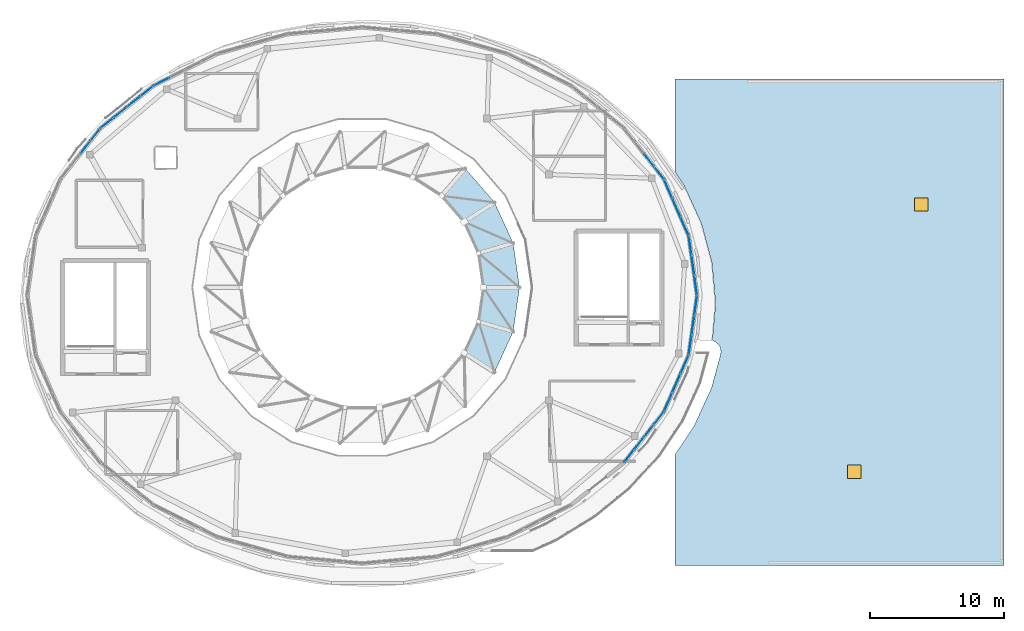
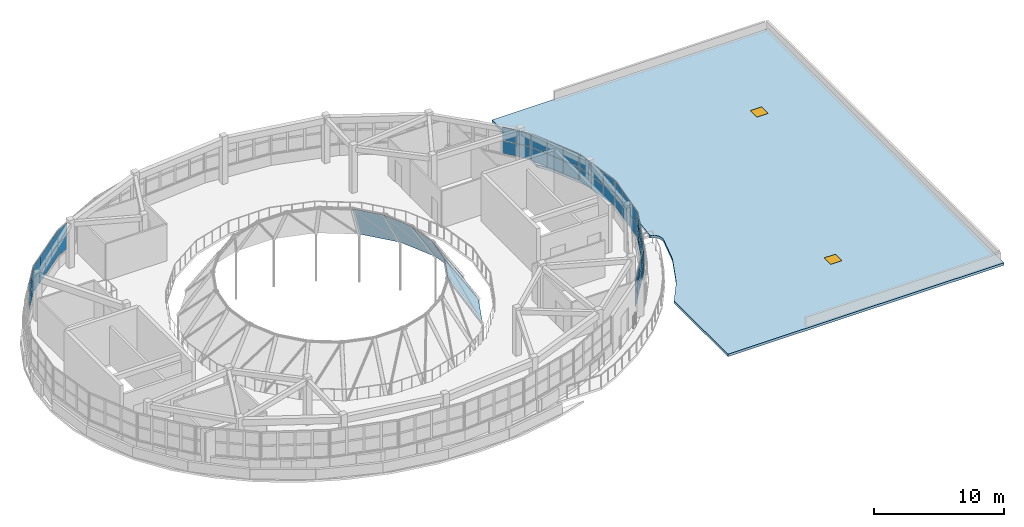
# One storey, part 31 of 38: 55 plates, 2 doors, 1 slab, 2 openings, 9 elements without a shape of their own.
"""IFC4 building model written with IfcOpenShell, lengths in metres."""

from ifc_helpers import new_model, si_unit, direction, frame, origin, origin_2d, place, context, subcontext, project, spatial, polyline, rectangle, outline, extrude, material, layer, layer_set, type_object, element, fill, aggregate, save


model = new_model("IFC4")

# Units and contexts
model_context = context("Model", 3, precision=1e-05, world=origin(), true_north=direction((0.0, 1.0)))
body_context = subcontext(model_context, "Body", "Model", "MODEL_VIEW")
ifc_project = project(units=[si_unit("LENGTHUNIT", "METRE"), si_unit("AREAUNIT", "SQUARE_METRE"), si_unit("VOLUMEUNIT", "CUBIC_METRE"), si_unit("PLANEANGLEUNIT", "RADIAN"), si_unit("MASSUNIT", "GRAM", prefix="KILO")], contexts=[model_context])

# Site, building, storey
site_placement = place(None, origin())
site = spatial("IfcSite", under=ifc_project, at=site_placement, CompositionType="ELEMENT")
building_placement = place(site_placement, origin())
building = spatial("IfcBuilding", under=site, at=building_placement, Name="Pelvatis Terrace Science Centre", CompositionType="ELEMENT")
storey_placement = place(building_placement, frame((0.0, 0.0, 24.300048828125)))
storey = spatial("IfcBuildingStorey", under=building, at=storey_placement, Name="L05", CompositionType="ELEMENT", Elevation=24.300048828125)

# Curtain wall, plates
ifc_material_1 = material(Name="Bronze-anodised aluminium and laminated glass", Category="aluminium")
ifc_layer_1 = layer(ifc_material_1, 0.179931640625)
ifc_layer_set_1 = layer_set([ifc_layer_1], Name="Bronze-anodised aluminium and laminated glass")
curtain_wall_type = type_object("IfcCurtainWallType", Name="CW-RIBBON-A", PredefinedType="NOTDEFINED", material=ifc_layer_set_1)
curtain_wall_1_placement = place(storey_placement, origin())
curtain_wall_1 = element("IfcCurtainWall", 1, at=curtain_wall_1_placement, inside=storey, type_object=curtain_wall_type, Name="Ribbon curtain wall CW-237 (L05)", PredefinedType="NOTDEFINED")
ifc_material_2 = material(Name="Low-e laminated solar-control double glazing", Category="glass")
ifc_layer_2 = layer(ifc_material_2, 0.035888671875)
ifc_layer_set_2 = layer_set([ifc_layer_2], Name="Low-e laminated solar-control double glazing")
plate_type_1 = type_object("IfcPlateType", Name="CWP-IGU-36", PredefinedType="CURTAIN_PANEL", material=ifc_layer_set_2)
plate_1_placement = place(storey_placement, frame((134.143310546875, 85.95849609375, 1.080078125), z_axis=(0.0, 0.0, 1.0), x_axis=(-0.139407522788, 0.990235094606, 0.0)))
plate_1 = element("IfcPlate", 2, at=plate_1_placement, type_object=plate_type_1, Name="CW-237 panel 1.1", PredefinedType="CURTAIN_PANEL", context=body_context, shape_type="SweptSolid", body=[
    extrude(rectangle(XDim=1.411865234375, YDim=0.035888671875, at=origin_2d()), origin(), (0.0, 0.0, 1.0), 1.18994140625),
])
plate_2_placement = place(storey_placement, frame((134.143310546875, 85.95849609375, 2.330078125), z_axis=(0.0, 0.0, 1.0), x_axis=(-0.139407522788, 0.990235094606, 0.0)))
plate_2 = element("IfcPlate", 3, at=plate_2_placement, type_object=plate_type_1, Name="CW-237 panel 1.2", PredefinedType="CURTAIN_PANEL", context=body_context, shape_type="SweptSolid", body=[
    extrude(rectangle(XDim=1.411865234375, YDim=0.035888671875, at=origin_2d()), origin(), (0.0, 0.0, 1.0), 1.18994140625),
])
plate_3_placement = place(storey_placement, frame((133.93603515625, 87.4306640625, 1.080078125), z_axis=(0.0, 0.0, 1.0), x_axis=(-0.139407522788, 0.990235094606, 0.0)))
plate_3 = element("IfcPlate", 4, at=plate_3_placement, type_object=plate_type_1, Name="CW-237 panel 2.1", PredefinedType="CURTAIN_PANEL", context=body_context, shape_type="SweptSolid", body=[
    extrude(rectangle(XDim=1.44189453125, YDim=0.035888671875, at=origin_2d()), origin(), (0.0, 0.0, 1.0), 1.18994140625),
])
plate_4_placement = place(storey_placement, frame((133.93603515625, 87.4306640625, 2.330078125), z_axis=(0.0, 0.0, 1.0), x_axis=(-0.139407522788, 0.990235094606, 0.0)))
plate_4 = element("IfcPlate", 5, at=plate_4_placement, type_object=plate_type_1, Name="CW-237 panel 2.2", PredefinedType="CURTAIN_PANEL", context=body_context, shape_type="SweptSolid", body=[
    extrude(rectangle(XDim=1.44189453125, YDim=0.035888671875, at=origin_2d()), origin(), (0.0, 0.0, 1.0), 1.18994140625),
])
plate_5_placement = place(storey_placement, frame((133.728759765625, 88.903076171875, 1.080078125), z_axis=(0.0, 0.0, 1.0), x_axis=(-0.139407522788, 0.990235094606, 0.0)))
plate_5 = element("IfcPlate", 6, at=plate_5_placement, type_object=plate_type_1, Name="CW-237 panel 3.1", PredefinedType="CURTAIN_PANEL", context=body_context, shape_type="SweptSolid", body=[
    extrude(rectangle(XDim=1.411865234375, YDim=0.035888671875, at=origin_2d()), origin(), (0.0, 0.0, 1.0), 1.18994140625),
])
plate_6_placement = place(storey_placement, frame((133.728759765625, 88.903076171875, 2.330078125), z_axis=(0.0, 0.0, 1.0), x_axis=(-0.139407522788, 0.990235094606, 0.0)))
plate_6 = element("IfcPlate", 7, at=plate_6_placement, type_object=plate_type_1, Name="CW-237 panel 3.2", PredefinedType="CURTAIN_PANEL", context=body_context, shape_type="SweptSolid", body=[
    extrude(rectangle(XDim=1.411865234375, YDim=0.035888671875, at=origin_2d()), origin(), (0.0, 0.0, 1.0), 1.18994140625),
])
aggregate(curtain_wall_1, [plate_1, plate_2, plate_3, plate_4, plate_5, plate_6])

curtain_wall_2_placement = place(storey_placement, origin())
curtain_wall_2 = element("IfcCurtainWall", 8, at=curtain_wall_2_placement, inside=storey, type_object=curtain_wall_type, Name="Ribbon curtain wall CW-238 (L05)", PredefinedType="NOTDEFINED")
plate_7_placement = place(storey_placement, frame((133.30712890625, 90.381591796875, 1.080078125), z_axis=(0.0, 0.0, 1.0), x_axis=(-0.400550007911, 0.916274899341, 0.0)))
plate_7 = element("IfcPlate", 9, at=plate_7_placement, type_object=plate_type_1, Name="CW-238 panel 1.1", PredefinedType="CURTAIN_PANEL", context=body_context, shape_type="SweptSolid", body=[
    extrude(rectangle(XDim=1.45166015625, YDim=0.035888671875, at=origin_2d()), origin(), (0.0, 0.0, 1.0), 1.18994140625),
])
plate_8_placement = place(storey_placement, frame((133.30712890625, 90.381591796875, 2.330078125), z_axis=(0.0, 0.0, 1.0), x_axis=(-0.400550007911, 0.916274899341, 0.0)))
plate_8 = element("IfcPlate", 10, at=plate_8_placement, type_object=plate_type_1, Name="CW-238 panel 1.2", PredefinedType="CURTAIN_PANEL", context=body_context, shape_type="SweptSolid", body=[
    extrude(rectangle(XDim=1.45166015625, YDim=0.035888671875, at=origin_2d()), origin(), (0.0, 0.0, 1.0), 1.18994140625),
])
plate_9_placement = place(storey_placement, frame((132.695556640625, 91.780517578125, 1.080078125), z_axis=(0.0, 0.0, 1.0), x_axis=(-0.400550007911, 0.916274899341, 0.0)))
plate_9 = element("IfcPlate", 11, at=plate_9_placement, type_object=plate_type_1, Name="CW-238 panel 2.1", PredefinedType="CURTAIN_PANEL", context=body_context, shape_type="SweptSolid", body=[
    extrude(rectangle(XDim=1.481689453125, YDim=0.035888671875, at=origin_2d()), origin(), (0.0, 0.0, 1.0), 1.18994140625),
])
plate_10_placement = place(storey_placement, frame((132.695556640625, 91.780517578125, 2.330078125), z_axis=(0.0, 0.0, 1.0), x_axis=(-0.400550007911, 0.916274899341, 0.0)))
plate_10 = element("IfcPlate", 12, at=plate_10_placement, type_object=plate_type_1, Name="CW-238 panel 2.2", PredefinedType="CURTAIN_PANEL", context=body_context, shape_type="SweptSolid", body=[
    extrude(rectangle(XDim=1.481689453125, YDim=0.035888671875, at=origin_2d()), origin(), (0.0, 0.0, 1.0), 1.18994140625),
])
plate_11_placement = place(storey_placement, frame((132.083984375, 93.179443359375, 1.080078125), z_axis=(0.0, 0.0, 1.0), x_axis=(-0.400550007911, 0.916274899341, 0.0)))
plate_11 = element("IfcPlate", 13, at=plate_11_placement, type_object=plate_type_1, Name="CW-238 panel 3.1", PredefinedType="CURTAIN_PANEL", context=body_context, shape_type="SweptSolid", body=[
    extrude(rectangle(XDim=1.45166015625, YDim=0.035888671875, at=origin_2d()), origin(), (0.0, 0.0, 1.0), 1.18994140625),
])
plate_12_placement = place(storey_placement, frame((132.083984375, 93.179443359375, 2.330078125), z_axis=(0.0, 0.0, 1.0), x_axis=(-0.400550007911, 0.916274899341, 0.0)))
plate_12 = element("IfcPlate", 14, at=plate_12_placement, type_object=plate_type_1, Name="CW-238 panel 3.2", PredefinedType="CURTAIN_PANEL", context=body_context, shape_type="SweptSolid", body=[
    extrude(rectangle(XDim=1.45166015625, YDim=0.035888671875, at=origin_2d()), origin(), (0.0, 0.0, 1.0), 1.18994140625),
])
aggregate(curtain_wall_2, [plate_7, plate_8, plate_9, plate_10, plate_11, plate_12])

curtain_wall_3_placement = place(storey_placement, origin())
curtain_wall_3 = element("IfcCurtainWall", 15, at=curtain_wall_3_placement, inside=storey, type_object=curtain_wall_type, Name="Ribbon curtain wall CW-239 (L05)", PredefinedType="NOTDEFINED")
plate_13_placement = place(storey_placement, frame((131.386962890625, 94.386474609375, 1.080078125), z_axis=(0.0, 0.0, 1.0), x_axis=(-0.617492535697, 0.786576740286, 0.0)))
plate_13 = element("IfcPlate", 16, at=plate_13_placement, type_object=plate_type_1, Name="CW-239 panel 1.1", PredefinedType="CURTAIN_PANEL", context=body_context, shape_type="SweptSolid", body=[
    extrude(rectangle(XDim=1.1181640625, YDim=0.035888671875, at=origin_2d()), origin(), (0.0, 0.0, 1.0), 1.18994140625),
])
plate_14_placement = place(storey_placement, frame((131.386962890625, 94.386474609375, 2.330078125), z_axis=(0.0, 0.0, 1.0), x_axis=(-0.617492535697, 0.786576740286, 0.0)))
plate_14 = element("IfcPlate", 17, at=plate_14_placement, type_object=plate_type_1, Name="CW-239 panel 1.2", PredefinedType="CURTAIN_PANEL", context=body_context, shape_type="SweptSolid", body=[
    extrude(rectangle(XDim=1.1181640625, YDim=0.035888671875, at=origin_2d()), origin(), (0.0, 0.0, 1.0), 1.18994140625),
])
plate_15_placement = place(storey_placement, frame((130.650146484375, 95.324951171875, 1.080078125), z_axis=(0.0, 0.0, 1.0), x_axis=(-0.617492535697, 0.786576740286, 0.0)))
plate_15 = element("IfcPlate", 18, at=plate_15_placement, type_object=plate_type_1, Name="CW-239 panel 2.1", PredefinedType="CURTAIN_PANEL", context=body_context, shape_type="SweptSolid", body=[
    extrude(rectangle(XDim=1.148193359375, YDim=0.035888671875, at=origin_2d()), origin(), (0.0, 0.0, 1.0), 1.18994140625),
])
plate_16_placement = place(storey_placement, frame((130.650146484375, 95.324951171875, 2.330078125), z_axis=(0.0, 0.0, 1.0), x_axis=(-0.617492535697, 0.786576740286, 0.0)))
plate_16 = element("IfcPlate", 19, at=plate_16_placement, type_object=plate_type_1, Name="CW-239 panel 2.2", PredefinedType="CURTAIN_PANEL", context=body_context, shape_type="SweptSolid", body=[
    extrude(rectangle(XDim=1.148193359375, YDim=0.035888671875, at=origin_2d()), origin(), (0.0, 0.0, 1.0), 1.18994140625),
])
aggregate(curtain_wall_3, [plate_13, plate_14, plate_15, plate_16])

curtain_wall_4_placement = place(storey_placement, origin())
curtain_wall_4 = element("IfcCurtainWall", 20, at=curtain_wall_4_placement, inside=storey, type_object=curtain_wall_type, Name="Ribbon curtain wall CW-246 (L05)", PredefinedType="NOTDEFINED")
plate_17_placement = place(storey_placement, frame((94.188720703125, 101.180908203125, 1.080078125), z_axis=(0.0, 0.0, 1.0), x_axis=(-0.893378933741, -0.449303995918, 0.0)))
plate_17 = element("IfcPlate", 21, at=plate_17_placement, type_object=plate_type_1, Name="CW-246 panel 4.1", PredefinedType="CURTAIN_PANEL", context=body_context, shape_type="SweptSolid", body=[
    extrude(rectangle(XDim=1.239013671875, YDim=0.035888671875, at=origin_2d()), origin(), (0.0, 0.0, 1.0), 1.18994140625),
])
plate_18_placement = place(storey_placement, frame((94.188720703125, 101.180908203125, 2.330078125), z_axis=(0.0, 0.0, 1.0), x_axis=(-0.893378933741, -0.449303995918, 0.0)))
plate_18 = element("IfcPlate", 22, at=plate_18_placement, type_object=plate_type_1, Name="CW-246 panel 4.2", PredefinedType="CURTAIN_PANEL", context=body_context, shape_type="SweptSolid", body=[
    extrude(rectangle(XDim=1.239013671875, YDim=0.035888671875, at=origin_2d()), origin(), (0.0, 0.0, 1.0), 1.18994140625),
])
aggregate(curtain_wall_4, [plate_17, plate_18])

curtain_wall_5_placement = place(storey_placement, origin())
curtain_wall_5 = element("IfcCurtainWall", 23, at=curtain_wall_5_placement, inside=storey, type_object=curtain_wall_type, Name="Ribbon curtain wall CW-247 (L05)", PredefinedType="NOTDEFINED")
plate_19_placement = place(storey_placement, frame((93.073974609375, 100.469482421875, 1.080078125), z_axis=(0.0, 0.0, 1.0), x_axis=(-0.780724767005, -0.62487505806, 0.0)))
plate_19 = element("IfcPlate", 24, at=plate_19_placement, type_object=plate_type_1, Name="CW-247 panel 1.1", PredefinedType="CURTAIN_PANEL", context=body_context, shape_type="SweptSolid", body=[
    extrude(rectangle(XDim=1.18017578125, YDim=0.035888671875, at=origin_2d()), origin(), (0.0, 0.0, 1.0), 1.18994140625),
])
plate_20_placement = place(storey_placement, frame((93.073974609375, 100.469482421875, 2.330078125), z_axis=(0.0, 0.0, 1.0), x_axis=(-0.780724767005, -0.62487505806, 0.0)))
plate_20 = element("IfcPlate", 25, at=plate_20_placement, type_object=plate_type_1, Name="CW-247 panel 1.2", PredefinedType="CURTAIN_PANEL", context=body_context, shape_type="SweptSolid", body=[
    extrude(rectangle(XDim=1.18017578125, YDim=0.035888671875, at=origin_2d()), origin(), (0.0, 0.0, 1.0), 1.18994140625),
])
plate_21_placement = place(storey_placement, frame((92.09423828125, 99.685302734375, 1.080078125), z_axis=(0.0, 0.0, 1.0), x_axis=(-0.780724767005, -0.62487505806, 0.0)))
plate_21 = element("IfcPlate", 26, at=plate_21_placement, type_object=plate_type_1, Name="CW-247 panel 2.1", PredefinedType="CURTAIN_PANEL", context=body_context, shape_type="SweptSolid", body=[
    extrude(rectangle(XDim=1.210205078125, YDim=0.035888671875, at=origin_2d()), origin(), (0.0, 0.0, 1.0), 1.18994140625),
])
plate_22_placement = place(storey_placement, frame((92.09423828125, 99.685302734375, 2.330078125), z_axis=(0.0, 0.0, 1.0), x_axis=(-0.780724767005, -0.62487505806, 0.0)))
plate_22 = element("IfcPlate", 27, at=plate_22_placement, type_object=plate_type_1, Name="CW-247 panel 2.2", PredefinedType="CURTAIN_PANEL", context=body_context, shape_type="SweptSolid", body=[
    extrude(rectangle(XDim=1.210205078125, YDim=0.035888671875, at=origin_2d()), origin(), (0.0, 0.0, 1.0), 1.18994140625),
])
plate_23_placement = place(storey_placement, frame((91.1025390625, 98.8916015625, 1.080078125), z_axis=(0.0, 0.0, 1.0), x_axis=(-0.780724767005, -0.62487505806, 0.0)))
plate_23 = element("IfcPlate", 28, at=plate_23_placement, type_object=plate_type_1, Name="CW-247 panel 3.1", PredefinedType="CURTAIN_PANEL", context=body_context, shape_type="SweptSolid", body=[
    extrude(rectangle(XDim=1.210205078125, YDim=0.035888671875, at=origin_2d()), origin(), (0.0, 0.0, 1.0), 1.18994140625),
])
plate_24_placement = place(storey_placement, frame((91.1025390625, 98.8916015625, 2.330078125), z_axis=(0.0, 0.0, 1.0), x_axis=(-0.780724767005, -0.62487505806, 0.0)))
plate_24 = element("IfcPlate", 29, at=plate_24_placement, type_object=plate_type_1, Name="CW-247 panel 3.2", PredefinedType="CURTAIN_PANEL", context=body_context, shape_type="SweptSolid", body=[
    extrude(rectangle(XDim=1.210205078125, YDim=0.035888671875, at=origin_2d()), origin(), (0.0, 0.0, 1.0), 1.18994140625),
])
plate_25_placement = place(storey_placement, frame((90.12255859375, 98.107177734375, 1.080078125), z_axis=(0.0, 0.0, 1.0), x_axis=(-0.780724767005, -0.62487505806, 0.0)))
plate_25 = element("IfcPlate", 30, at=plate_25_placement, type_object=plate_type_1, Name="CW-247 panel 4.1", PredefinedType="CURTAIN_PANEL", context=body_context, shape_type="SweptSolid", body=[
    extrude(rectangle(XDim=1.18017578125, YDim=0.035888671875, at=origin_2d()), origin(), (0.0, 0.0, 1.0), 1.18994140625),
])
plate_26_placement = place(storey_placement, frame((90.12255859375, 98.107177734375, 2.330078125), z_axis=(0.0, 0.0, 1.0), x_axis=(-0.780724767005, -0.62487505806, 0.0)))
plate_26 = element("IfcPlate", 31, at=plate_26_placement, type_object=plate_type_1, Name="CW-247 panel 4.2", PredefinedType="CURTAIN_PANEL", context=body_context, shape_type="SweptSolid", body=[
    extrude(rectangle(XDim=1.18017578125, YDim=0.035888671875, at=origin_2d()), origin(), (0.0, 0.0, 1.0), 1.18994140625),
])
aggregate(curtain_wall_5, [plate_19, plate_20, plate_21, plate_22, plate_23, plate_24, plate_25, plate_26])

curtain_wall_6_placement = place(storey_placement, origin())
curtain_wall_6 = element("IfcCurtainWall", 32, at=curtain_wall_6_placement, inside=storey, type_object=curtain_wall_type, Name="Ribbon curtain wall CW-248 (L05)", PredefinedType="NOTDEFINED")
plate_27_placement = place(storey_placement, frame((89.232666015625, 97.214111328125, 1.080078125), z_axis=(0.0, 0.0, 1.0), x_axis=(-0.617492535697, -0.786576740286, 0.0)))
plate_27 = element("IfcPlate", 33, at=plate_27_placement, type_object=plate_type_1, Name="CW-248 panel 1.1", PredefinedType="CURTAIN_PANEL", context=body_context, shape_type="SweptSolid", body=[
    extrude(rectangle(XDim=1.1181640625, YDim=0.035888671875, at=origin_2d()), origin(), (0.0, 0.0, 1.0), 1.18994140625),
])
plate_28_placement = place(storey_placement, frame((89.232666015625, 97.214111328125, 2.330078125), z_axis=(0.0, 0.0, 1.0), x_axis=(-0.617492535697, -0.786576740286, 0.0)))
plate_28 = element("IfcPlate", 34, at=plate_28_placement, type_object=plate_type_1, Name="CW-248 panel 1.2", PredefinedType="CURTAIN_PANEL", context=body_context, shape_type="SweptSolid", body=[
    extrude(rectangle(XDim=1.1181640625, YDim=0.035888671875, at=origin_2d()), origin(), (0.0, 0.0, 1.0), 1.18994140625),
])
plate_29_placement = place(storey_placement, frame((88.495849609375, 96.275390625, 1.080078125), z_axis=(0.0, 0.0, 1.0), x_axis=(-0.617492535697, -0.786576740286, 0.0)))
plate_29 = element("IfcPlate", 35, at=plate_29_placement, type_object=plate_type_1, Name="CW-248 panel 2.1", PredefinedType="CURTAIN_PANEL", context=body_context, shape_type="SweptSolid", body=[
    extrude(rectangle(XDim=1.148193359375, YDim=0.035888671875, at=origin_2d()), origin(), (0.0, 0.0, 1.0), 1.18994140625),
])
plate_30_placement = place(storey_placement, frame((88.495849609375, 96.275390625, 2.330078125), z_axis=(0.0, 0.0, 1.0), x_axis=(-0.617492535697, -0.786576740286, 0.0)))
plate_30 = element("IfcPlate", 36, at=plate_30_placement, type_object=plate_type_1, Name="CW-248 panel 2.2", PredefinedType="CURTAIN_PANEL", context=body_context, shape_type="SweptSolid", body=[
    extrude(rectangle(XDim=1.148193359375, YDim=0.035888671875, at=origin_2d()), origin(), (0.0, 0.0, 1.0), 1.18994140625),
])
aggregate(curtain_wall_6, [plate_27, plate_28, plate_29, plate_30])

curtain_wall_7_placement = place(storey_placement, origin())
curtain_wall_7 = element("IfcCurtainWall", 37, at=curtain_wall_7_placement, inside=storey, type_object=curtain_wall_type, Name="Ribbon curtain wall CW-261 (L05)", PredefinedType="NOTDEFINED")
plate_31_placement = place(storey_placement, frame((129.167236328125, 73.18603515625, 1.080078125), z_axis=(0.0, 0.0, 1.0), x_axis=(0.617492535697, 0.786576740286, 0.0)))
plate_31 = element("IfcPlate", 38, at=plate_31_placement, type_object=plate_type_1, Name="CW-261 panel 1.1", PredefinedType="CURTAIN_PANEL", context=body_context, shape_type="SweptSolid", body=[
    extrude(rectangle(XDim=1.1181640625, YDim=0.035888671875, at=origin_2d()), origin(), (0.0, 0.0, 1.0), 1.18994140625),
])
plate_32_placement = place(storey_placement, frame((129.167236328125, 73.18603515625, 2.330078125), z_axis=(0.0, 0.0, 1.0), x_axis=(0.617492535697, 0.786576740286, 0.0)))
plate_32 = element("IfcPlate", 39, at=plate_32_placement, type_object=plate_type_1, Name="CW-261 panel 1.2", PredefinedType="CURTAIN_PANEL", context=body_context, shape_type="SweptSolid", body=[
    extrude(rectangle(XDim=1.1181640625, YDim=0.035888671875, at=origin_2d()), origin(), (0.0, 0.0, 1.0), 1.18994140625),
])
plate_33_placement = place(storey_placement, frame((129.904052734375, 74.12451171875, 1.080078125), z_axis=(0.0, 0.0, 1.0), x_axis=(0.617492535697, 0.786576740286, 0.0)))
plate_33 = element("IfcPlate", 40, at=plate_33_placement, type_object=plate_type_1, Name="CW-261 panel 2.1", PredefinedType="CURTAIN_PANEL", context=body_context, shape_type="SweptSolid", body=[
    extrude(rectangle(XDim=1.148193359375, YDim=0.035888671875, at=origin_2d()), origin(), (0.0, 0.0, 1.0), 1.18994140625),
])
plate_34_placement = place(storey_placement, frame((129.904052734375, 74.12451171875, 2.330078125), z_axis=(0.0, 0.0, 1.0), x_axis=(0.617492535697, 0.786576740286, 0.0)))
plate_34 = element("IfcPlate", 41, at=plate_34_placement, type_object=plate_type_1, Name="CW-261 panel 2.2", PredefinedType="CURTAIN_PANEL", context=body_context, shape_type="SweptSolid", body=[
    extrude(rectangle(XDim=1.148193359375, YDim=0.035888671875, at=origin_2d()), origin(), (0.0, 0.0, 1.0), 1.18994140625),
])
plate_35_placement = place(storey_placement, frame((130.650146484375, 75.074951171875, 1.080078125), z_axis=(0.0, 0.0, 1.0), x_axis=(0.617492535697, 0.786576740286, 0.0)))
plate_35 = element("IfcPlate", 42, at=plate_35_placement, type_object=plate_type_1, Name="CW-261 panel 3.1", PredefinedType="CURTAIN_PANEL", context=body_context, shape_type="SweptSolid", body=[
    extrude(rectangle(XDim=1.148193359375, YDim=0.035888671875, at=origin_2d()), origin(), (0.0, 0.0, 1.0), 1.18994140625),
])
plate_36_placement = place(storey_placement, frame((130.650146484375, 75.074951171875, 2.330078125), z_axis=(0.0, 0.0, 1.0), x_axis=(0.617492535697, 0.786576740286, 0.0)))
plate_36 = element("IfcPlate", 43, at=plate_36_placement, type_object=plate_type_1, Name="CW-261 panel 3.2", PredefinedType="CURTAIN_PANEL", context=body_context, shape_type="SweptSolid", body=[
    extrude(rectangle(XDim=1.148193359375, YDim=0.035888671875, at=origin_2d()), origin(), (0.0, 0.0, 1.0), 1.18994140625),
])
plate_37_placement = place(storey_placement, frame((131.386962890625, 76.013671875, 1.080078125), z_axis=(0.0, 0.0, 1.0), x_axis=(0.617492535697, 0.786576740286, 0.0)))
plate_37 = element("IfcPlate", 44, at=plate_37_placement, type_object=plate_type_1, Name="CW-261 panel 4.1", PredefinedType="CURTAIN_PANEL", context=body_context, shape_type="SweptSolid", body=[
    extrude(rectangle(XDim=1.1181640625, YDim=0.035888671875, at=origin_2d()), origin(), (0.0, 0.0, 1.0), 1.18994140625),
])
plate_38_placement = place(storey_placement, frame((131.386962890625, 76.013671875, 2.330078125), z_axis=(0.0, 0.0, 1.0), x_axis=(0.617492535697, 0.786576740286, 0.0)))
plate_38 = element("IfcPlate", 45, at=plate_38_placement, type_object=plate_type_1, Name="CW-261 panel 4.2", PredefinedType="CURTAIN_PANEL", context=body_context, shape_type="SweptSolid", body=[
    extrude(rectangle(XDim=1.1181640625, YDim=0.035888671875, at=origin_2d()), origin(), (0.0, 0.0, 1.0), 1.18994140625),
])
aggregate(curtain_wall_7, [plate_31, plate_32, plate_33, plate_34, plate_35, plate_36, plate_37, plate_38])

curtain_wall_8_placement = place(storey_placement, origin())
curtain_wall_8 = element("IfcCurtainWall", 46, at=curtain_wall_8_placement, inside=storey, type_object=curtain_wall_type, Name="Ribbon curtain wall CW-262 (L05)", PredefinedType="NOTDEFINED")
plate_39_placement = place(storey_placement, frame((132.083984375, 77.220703125, 1.080078125), z_axis=(0.0, 0.0, 1.0), x_axis=(0.400550007911, 0.916274899341, 0.0)))
plate_39 = element("IfcPlate", 47, at=plate_39_placement, type_object=plate_type_1, Name="CW-262 panel 1.1", PredefinedType="CURTAIN_PANEL", context=body_context, shape_type="SweptSolid", body=[
    extrude(rectangle(XDim=1.45166015625, YDim=0.035888671875, at=origin_2d()), origin(), (0.0, 0.0, 1.0), 1.18994140625),
])
plate_40_placement = place(storey_placement, frame((132.083984375, 77.220703125, 2.330078125), z_axis=(0.0, 0.0, 1.0), x_axis=(0.400550007911, 0.916274899341, 0.0)))
plate_40 = element("IfcPlate", 48, at=plate_40_placement, type_object=plate_type_1, Name="CW-262 panel 1.2", PredefinedType="CURTAIN_PANEL", context=body_context, shape_type="SweptSolid", body=[
    extrude(rectangle(XDim=1.45166015625, YDim=0.035888671875, at=origin_2d()), origin(), (0.0, 0.0, 1.0), 1.18994140625),
])
plate_41_placement = place(storey_placement, frame((132.695556640625, 78.61962890625, 1.080078125), z_axis=(0.0, 0.0, 1.0), x_axis=(0.400550007911, 0.916274899341, 0.0)))
plate_41 = element("IfcPlate", 49, at=plate_41_placement, type_object=plate_type_1, Name="CW-262 panel 2.1", PredefinedType="CURTAIN_PANEL", context=body_context, shape_type="SweptSolid", body=[
    extrude(rectangle(XDim=1.481689453125, YDim=0.035888671875, at=origin_2d()), origin(), (0.0, 0.0, 1.0), 1.18994140625),
])
plate_42_placement = place(storey_placement, frame((132.695556640625, 78.61962890625, 2.330078125), z_axis=(0.0, 0.0, 1.0), x_axis=(0.400550007911, 0.916274899341, 0.0)))
plate_42 = element("IfcPlate", 50, at=plate_42_placement, type_object=plate_type_1, Name="CW-262 panel 2.2", PredefinedType="CURTAIN_PANEL", context=body_context, shape_type="SweptSolid", body=[
    extrude(rectangle(XDim=1.481689453125, YDim=0.035888671875, at=origin_2d()), origin(), (0.0, 0.0, 1.0), 1.18994140625),
])
plate_43_placement = place(storey_placement, frame((133.30712890625, 80.0185546875, 1.080078125), z_axis=(0.0, 0.0, 1.0), x_axis=(0.400550007911, 0.916274899341, 0.0)))
plate_43 = element("IfcPlate", 51, at=plate_43_placement, type_object=plate_type_1, Name="CW-262 panel 3.1", PredefinedType="CURTAIN_PANEL", context=body_context, shape_type="SweptSolid", body=[
    extrude(rectangle(XDim=1.45166015625, YDim=0.035888671875, at=origin_2d()), origin(), (0.0, 0.0, 1.0), 1.18994140625),
])
plate_44_placement = place(storey_placement, frame((133.30712890625, 80.0185546875, 2.330078125), z_axis=(0.0, 0.0, 1.0), x_axis=(0.400550007911, 0.916274899341, 0.0)))
plate_44 = element("IfcPlate", 52, at=plate_44_placement, type_object=plate_type_1, Name="CW-262 panel 3.2", PredefinedType="CURTAIN_PANEL", context=body_context, shape_type="SweptSolid", body=[
    extrude(rectangle(XDim=1.45166015625, YDim=0.035888671875, at=origin_2d()), origin(), (0.0, 0.0, 1.0), 1.18994140625),
])
aggregate(curtain_wall_8, [plate_39, plate_40, plate_41, plate_42, plate_43, plate_44])

curtain_wall_9_placement = place(storey_placement, origin())
curtain_wall_9 = element("IfcCurtainWall", 53, at=curtain_wall_9_placement, inside=storey, type_object=curtain_wall_type, Name="Ribbon curtain wall CW-263 (L05)", PredefinedType="NOTDEFINED")
plate_45_placement = place(storey_placement, frame((133.728759765625, 81.496826171875, 1.080078125), z_axis=(0.0, 0.0, 1.0), x_axis=(0.139407522788, 0.990235094606, 0.0)))
plate_45 = element("IfcPlate", 54, at=plate_45_placement, type_object=plate_type_1, Name="CW-263 panel 1.1", PredefinedType="CURTAIN_PANEL", context=body_context, shape_type="SweptSolid", body=[
    extrude(rectangle(XDim=1.411865234375, YDim=0.035888671875, at=origin_2d()), origin(), (0.0, 0.0, 1.0), 1.18994140625),
])
plate_46_placement = place(storey_placement, frame((133.728759765625, 81.496826171875, 2.330078125), z_axis=(0.0, 0.0, 1.0), x_axis=(0.139407522788, 0.990235094606, 0.0)))
plate_46 = element("IfcPlate", 55, at=plate_46_placement, type_object=plate_type_1, Name="CW-263 panel 1.2", PredefinedType="CURTAIN_PANEL", context=body_context, shape_type="SweptSolid", body=[
    extrude(rectangle(XDim=1.411865234375, YDim=0.035888671875, at=origin_2d()), origin(), (0.0, 0.0, 1.0), 1.18994140625),
])
plate_47_placement = place(storey_placement, frame((133.93603515625, 82.96923828125, 1.080078125), z_axis=(0.0, 0.0, 1.0), x_axis=(0.139407522788, 0.990235094606, 0.0)))
plate_47 = element("IfcPlate", 56, at=plate_47_placement, type_object=plate_type_1, Name="CW-263 panel 2.1", PredefinedType="CURTAIN_PANEL", context=body_context, shape_type="SweptSolid", body=[
    extrude(rectangle(XDim=1.44189453125, YDim=0.035888671875, at=origin_2d()), origin(), (0.0, 0.0, 1.0), 1.18994140625),
])
plate_48_placement = place(storey_placement, frame((133.93603515625, 82.96923828125, 2.330078125), z_axis=(0.0, 0.0, 1.0), x_axis=(0.139407522788, 0.990235094606, 0.0)))
plate_48 = element("IfcPlate", 57, at=plate_48_placement, type_object=plate_type_1, Name="CW-263 panel 2.2", PredefinedType="CURTAIN_PANEL", context=body_context, shape_type="SweptSolid", body=[
    extrude(rectangle(XDim=1.44189453125, YDim=0.035888671875, at=origin_2d()), origin(), (0.0, 0.0, 1.0), 1.18994140625),
])
plate_49_placement = place(storey_placement, frame((134.143310546875, 84.441650390625, 1.080078125), z_axis=(0.0, 0.0, 1.0), x_axis=(0.139407522788, 0.990235094606, 0.0)))
plate_49 = element("IfcPlate", 58, at=plate_49_placement, type_object=plate_type_1, Name="CW-263 panel 3.1", PredefinedType="CURTAIN_PANEL", context=body_context, shape_type="SweptSolid", body=[
    extrude(rectangle(XDim=1.411865234375, YDim=0.035888671875, at=origin_2d()), origin(), (0.0, 0.0, 1.0), 1.18994140625),
])
plate_50_placement = place(storey_placement, frame((134.143310546875, 84.441650390625, 2.330078125), z_axis=(0.0, 0.0, 1.0), x_axis=(0.139407522788, 0.990235094606, 0.0)))
plate_50 = element("IfcPlate", 59, at=plate_50_placement, type_object=plate_type_1, Name="CW-263 panel 3.2", PredefinedType="CURTAIN_PANEL", context=body_context, shape_type="SweptSolid", body=[
    extrude(rectangle(XDim=1.411865234375, YDim=0.035888671875, at=origin_2d()), origin(), (0.0, 0.0, 1.0), 1.18994140625),
])
aggregate(curtain_wall_9, [plate_45, plate_46, plate_47, plate_48, plate_49, plate_50])

# Plates
ifc_material_3 = material(Name="Bronze-patinated standing-seam titanium-zinc sheet", Category="steel")
ifc_layer_3 = layer(ifc_material_3, 0.013916015625)
ifc_layer_set_3 = layer_set([ifc_layer_3], Name="Bronze-patinated standing-seam titanium-zinc sheet")
plate_type_2 = type_object("IfcPlateType", Name="PLT-DOM-SH14", PredefinedType="SHEET", material=ifc_layer_set_3)
plate_51_placement = place(storey_placement, frame((120.963134765625, 85.800048828125, -1.1845703125), z_axis=(0.837256646291, 0.12039940788, 0.533390373764), x_axis=(-0.142338659625, 0.989818016595, 9.10568e-07)))
element("IfcPlate", 60, at=plate_51_placement, inside=storey, type_object=plate_type_2, Name="Planetarium dome shell panel 2.01", PredefinedType="SHEET", context=body_context, shape_type="SweptSolid", body=[
    extrude(outline(polyline([(0.0, 0.0), (3.3480553761825003, 0.0), (2.9639742048185203, 5.009405676219828), (0.3842417879144077, 5.009412057413388), (0.0, 0.0)])), origin(), (0.0, 0.0, -1.0), 0.013916015625),
])
plate_52_placement = place(storey_placement, frame((120.486572265625, 89.114013671875, -1.1845703125), z_axis=(0.769446559383, 0.351366776744, 0.533379208869), x_axis=(-0.415393199986, 0.909641956663, 9.198365e-06)))
element("IfcPlate", 61, at=plate_52_placement, inside=storey, type_object=plate_type_2, Name="Planetarium dome shell panel 2.02", PredefinedType="SHEET", context=body_context, shape_type="SweptSolid", body=[
    extrude(outline(polyline([(0.0, 0.0), (3.3482125170129216, -1.1102230246251565e-16), (2.9639088507457205, 5.009334942927197), (0.38416294201073453, 5.009399405699651), (0.0, 0.0)])), origin(), (0.0, 0.0, -1.0), 0.013916015625),
])
plate_53_placement = place(storey_placement, frame((119.095703125, 92.15966796875, -1.1845703125), z_axis=(0.639274906485, 0.553922126055, 0.533383419508), x_axis=(-0.65484916529, 0.755759598471, -6.233169e-06)))
element("IfcPlate", 62, at=plate_53_placement, inside=storey, type_object=plate_type_2, Name="Planetarium dome shell panel 2.03", PredefinedType="SHEET", context=body_context, shape_type="SweptSolid", body=[
    extrude(outline(polyline([(0.0, 0.0), (3.3479584919070824, 0.0), (2.963809912355322, 5.009404737229015), (0.3839631405800768, 5.00936105574524), (0.0, 0.0)])), origin(), (0.0, 0.0, -1.0), 0.013916015625),
])
plate_54_placement = place(storey_placement, frame((119.095703125, 79.4404296875, -1.1845703125), z_axis=(0.769436393457, -0.351378043304, 0.533386451934), x_axis=(0.415412174275, 0.909633291626, -1.5146685e-05)))
element("IfcPlate", 63, at=plate_54_placement, inside=storey, type_object=plate_type_2, Name="Planetarium dome shell panel 2.21", PredefinedType="SHEET", context=body_context, shape_type="SweptSolid", body=[
    extrude(outline(polyline([(0.0, 0.0), (3.3479904386205455, -1.1102230246251565e-16), (2.9639686353900596, 5.009447296590578), (0.3842227291391071, 5.009341150994392), (0.0, 0.0)])), origin(), (0.0, 0.0, -1.0), 0.013916015625),
])
plate_55_placement = place(storey_placement, frame((120.486572265625, 82.48583984375, -1.1845703125), z_axis=(0.837255803103, -0.120394277088, 0.533392855422), x_axis=(0.14233158531, 0.989819033875, 1.127246e-06)))
element("IfcPlate", 64, at=plate_55_placement, inside=storey, type_object=plate_type_2, Name="Planetarium dome shell panel 2.22", PredefinedType="SHEET", context=body_context, shape_type="SweptSolid", body=[
    extrude(outline(polyline([(0.0, 0.0), (3.348297031099264, -5.551115123125783e-17), (2.964082974874673, 5.009414184465118), (0.38435055797813733, 5.009422084457033), (0.0, 0.0)])), origin(), (0.0, 0.0, -1.0), 0.013916015625),
])

# Slab, openings, doors
ifc_material_4 = material(Name="Concrete C35/45", Category="concrete")
ifc_layer_4 = layer(ifc_material_4, 0.236083984375)
ifc_layer_set_4 = layer_set([ifc_layer_4], Name="Concrete C35/45")
slab_type = type_object("IfcSlabType", Name="SLB-ROOF-236", PredefinedType="ROOF", material=ifc_layer_set_4)
slab_placement = place(storey_placement, frame((0.0, 0.0, -0.236083984375)))
slab = element("IfcSlab", 65, at=slab_placement, inside=storey, type_object=slab_type, Name="L05 East wing upper roof slab", PredefinedType="ROOF", context=body_context, shape_type="SweptSolid", body=[
    extrude(outline(polyline([(132.60009765625, 73.294189453125), (133.992431640625, 75.378662109375), (135.31982421875, 78.273681640625), (136.001220703125, 80.781005859375), (136.029541015625, 81.024169921875), (135.9580078125, 81.342041015625), (135.828125, 81.5498046875), (135.64453125, 81.711669921875), (135.37646484375, 81.825927734375), (135.6201171875, 84.60009765625), (135.354736328125, 87.622314453125), (134.565673828125, 90.57958984375), (133.267822265625, 93.41650390625), (132.60009765625, 94.4140625), (132.60009765625, 101.39990234375), (157.199951171875, 101.39990234375), (157.199951171875, 65.0), (132.60009765625, 65.0), (132.60009765625, 73.294189453125)])), origin(), (0.0, 0.0, 1.0), 0.236083984375),
])
opening_1_placement = place(slab_placement, frame((146.0, 72.0, 0.0)))
opening_1 = element("IfcOpeningElement", 66, at=opening_1_placement, cuts=slab, Name="Opening TD-05", PredefinedType="OPENING", context=body_context, shape_type="SweptSolid", body=[
    extrude(rectangle(XDim=1.0, YDim=1.0, at=origin_2d()), origin(), (0.0, 0.0, 1.0), 0.236083984375),
])
opening_2_placement = place(slab_placement, frame((151.0, 92.0, 0.0)))
opening_2 = element("IfcOpeningElement", 67, at=opening_2_placement, cuts=slab, Name="Opening TD-06", PredefinedType="OPENING", context=body_context, shape_type="SweptSolid", body=[
    extrude(rectangle(XDim=1.0, YDim=1.0, at=origin_2d()), origin(), (0.0, 0.0, 1.0), 0.236083984375),
])
ifc_material_5 = material(Name="Insulated aluminium dome catwalk access hatch", Category="aluminium")
door_type = type_object("IfcDoorType", Name="TD-ROOF-1000x1000", OperationType="NOTDEFINED", PredefinedType="TRAPDOOR", material=ifc_material_5)
door_1_placement = place(opening_1_placement, frame((0.0, 0.0, 0.18603515625)))
door_1 = element("IfcDoor", 68, at=door_1_placement, inside=storey, type_object=door_type, Name="Roof maintenance access hatch TD-05", OperationType="SINGLE_SWING_LEFT", OverallHeight=1.0, OverallWidth=1.0, PredefinedType="TRAPDOOR", context=body_context, shape_type="SweptSolid", body=[
    extrude(rectangle(XDim=1.0, YDim=1.0, at=origin_2d()), origin(), (0.0, 0.0, 1.0), 0.050048828125),
])
fill(opening_1, door_1)
door_2_placement = place(opening_2_placement, frame((0.0, 0.0, 0.18603515625)))
door_2 = element("IfcDoor", 69, at=door_2_placement, inside=storey, type_object=door_type, Name="Roof maintenance access hatch TD-06", OperationType="SINGLE_SWING_LEFT", OverallHeight=1.0, OverallWidth=1.0, PredefinedType="TRAPDOOR", context=body_context, shape_type="SweptSolid", body=[
    extrude(rectangle(XDim=1.0, YDim=1.0, at=origin_2d()), origin(), (0.0, 0.0, 1.0), 0.050048828125),
])
fill(opening_2, door_2)

save(model, "model.ifc")
